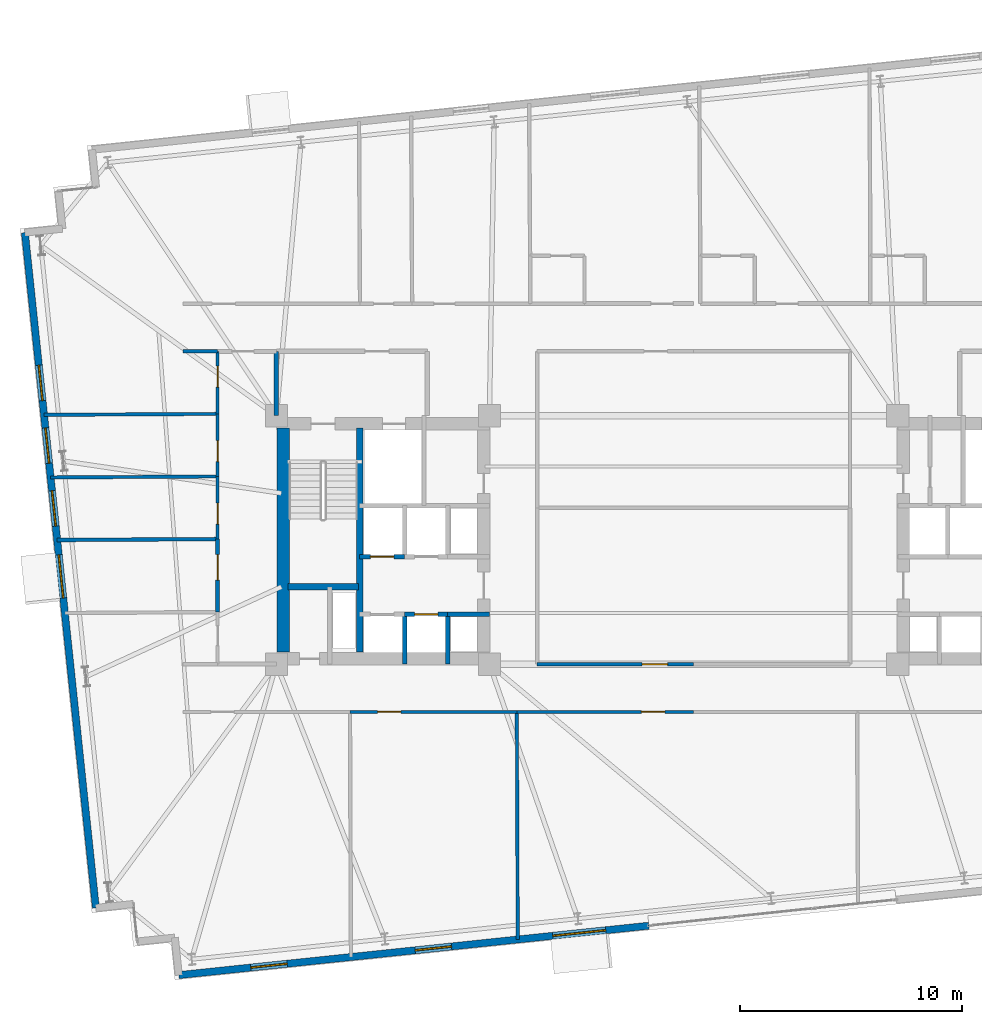
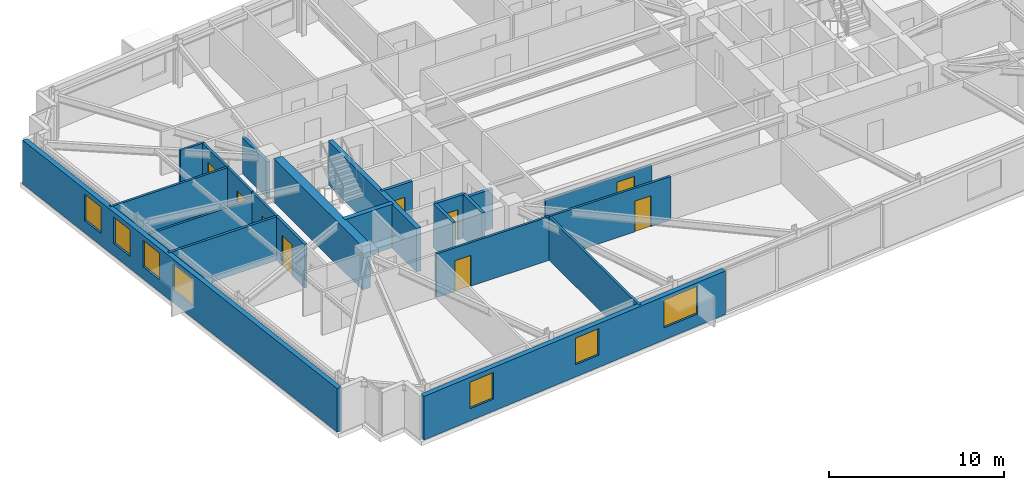
# One storey, part 16 of 22: 23 walls, 9 doors, 7 windows, 16 openings.
"""IFC4 building model written with IfcOpenShell, lengths in metres."""

from ifc_helpers import new_model, si_unit, direction, frame, frame_2d, origin, place, context, subcontext, project, spatial, rectangle, extrude, material, layer, layer_set, type_object, element, fill, save


model = new_model("IFC4")

# Units and contexts
model_context = context("Model", 3, precision=1e-05, world=origin(), true_north=direction((0.0, 1.0)))
body_context = subcontext(model_context, "Body", "Model", "MODEL_VIEW")
ifc_project = project(units=[si_unit("LENGTHUNIT", "METRE"), si_unit("AREAUNIT", "SQUARE_METRE"), si_unit("VOLUMEUNIT", "CUBIC_METRE"), si_unit("PLANEANGLEUNIT", "RADIAN"), si_unit("MASSUNIT", "GRAM", prefix="KILO")], contexts=[model_context])

# Site, building, storey
site_placement = place(None, origin())
site = spatial("IfcSite", under=ifc_project, at=site_placement, CompositionType="ELEMENT")
building_placement = place(site_placement, origin())
building = spatial("IfcBuilding", under=site, at=building_placement, Name="Qobustan Lattice House", CompositionType="ELEMENT")
storey_placement = place(building_placement, frame((0.0, 0.0, 99.10009765625)))
storey = spatial("IfcBuildingStorey", under=building, at=storey_placement, Name="L27", CompositionType="ELEMENT", Elevation=99.10009765625)

# Walls
ifc_material_1 = material(Name="Concrete C60/75", Category="concrete")
ifc_layer_1 = layer(ifc_material_1, 0.56005859375)
ifc_layer_set_1 = layer_set([ifc_layer_1], Name="Concrete C60/75")
wall_type_1 = type_object("IfcWallType", Name="WAL-CORE-600", PredefinedType="SHEAR", material=ifc_layer_set_1)
wall_1_placement = place(storey_placement, frame((-18.489990234375, -5.050048828125, 0.0), z_axis=(0.0, 0.0, 1.0), x_axis=(0.0, 1.0, 0.0)))
element("IfcWall", 1, at=wall_1_placement, inside=storey, type_object=wall_type_1, Name="L27 split-core shear wall CW-W", PredefinedType="SHEAR", context=body_context, shape_type="SweptSolid", body=[
    extrude(rectangle(XDim=10.10009765625, YDim=0.56005859375, at=frame_2d((5.050048828125, 0.0))), origin(), (0.0, 0.0, 1.0), 3.044921875),
])
ifc_material_2 = material(Name="Concrete C50/60", Category="concrete")
ifc_layer_2 = layer(ifc_material_2, 0.280029296875)
ifc_layer_set_2 = layer_set([ifc_layer_2], Name="Concrete C50/60")
wall_type_2 = type_object("IfcWallType", Name="WAL-CORE-SPINE-280", PredefinedType="SHEAR", material=ifc_layer_set_2)
wall_2_placement = place(storey_placement, frame((-15.050048828125, -5.050048828125, 0.0), z_axis=(0.0, 0.0, 1.0), x_axis=(0.0, 1.0, 0.0)))
element("IfcWall", 2, at=wall_2_placement, inside=storey, type_object=wall_type_2, Name="L27 split-core shear wall CW-M", PredefinedType="SHEAR", context=body_context, shape_type="SweptSolid", body=[
    extrude(rectangle(XDim=10.10009765625, YDim=0.300048828125, at=frame_2d((5.050048828125, 0.0))), origin(), (0.0, 0.0, 1.0), 3.044921875),
])
wall_3_placement = place(storey_placement, frame((-18.280029296875, -2.110107421875, 0.0), z_axis=(0.0, 0.0, 1.0), x_axis=(1.0, 0.0, 0.0)))
element("IfcWall", 3, at=wall_3_placement, inside=storey, type_object=wall_type_2, Name="L27 split-core shear wall CW-ST", PredefinedType="SHEAR", context=body_context, shape_type="SweptSolid", body=[
    extrude(rectangle(XDim=3.179931640625, YDim=0.300048828125, at=frame_2d((1.58984375, 0.0))), origin(), (0.0, 0.0, 1.0), 3.044921875),
])

# Wall, openings, windows
ifc_material_3 = material(Name="Precast concrete C40/50", Category="concrete")
ifc_layer_3 = layer(ifc_material_3, 0.320068359375)
ifc_layer_set_3 = layer_set([ifc_layer_3], Name="Precast concrete C40/50")
wall_type_3 = type_object("IfcWallType", Name="WAL-EXT-STONE-320", PredefinedType="SOLIDWALL", material=ifc_layer_set_3)
wall_4_placement = place(storey_placement, frame((-26.934814453125, -16.58349609375, 0.0), z_axis=(0.0, 0.0, 1.0), x_axis=(-0.104524887486, 0.994522271192, 0.0)))
wall_4 = element("IfcWall", 4, at=wall_4_placement, inside=storey, type_object=wall_type_3, Name="L27 exterior limestone-clad wall 5", PredefinedType="SOLIDWALL", context=body_context, shape_type="SweptSolid", body=[
    extrude(rectangle(XDim=30.600341796875, YDim=0.320068359375, at=frame_2d((15.30029296875, 0.0))), origin(), (0.0, 0.0, 1.0), 3.044921875),
])
opening_1_placement = place(wall_4_placement, frame((14.044677734375, 0.0, 0.85009765625)))
opening_1 = element("IfcOpeningElement", 5, at=opening_1_placement, cuts=wall_4, Name="Opening WN-08", PredefinedType="OPENING", context=body_context, shape_type="SweptSolid", body=[
    extrude(rectangle(XDim=1.949951171875, YDim=1.85009765625, at=frame_2d((0.97509765625, 0.925048828125))), frame((0.0, 0.169921875, 0.0), z_axis=(0.0, -1.0, 0.0), x_axis=(1.0, 0.0, 0.0)), (0.0, 0.0, 1.0), 0.340087890625),
])
opening_2_placement = place(wall_4_placement, frame((17.3037109375, 0.0, 0.85009765625)))
opening_2 = element("IfcOpeningElement", 6, at=opening_2_placement, cuts=wall_4, Name="Opening WN-13", PredefinedType="OPENING", context=body_context, shape_type="SweptSolid", body=[
    extrude(rectangle(XDim=1.60009765625, YDim=1.85009765625, at=frame_2d((0.800048828125, 0.925048828125))), frame((0.0, 0.169921875, 0.0), z_axis=(0.0, -1.0, 0.0), x_axis=(1.0, 0.0, 0.0)), (0.0, 0.0, 1.0), 0.340087890625),
])
opening_3_placement = place(wall_4_placement, frame((20.1474609375, 0.0, 0.85009765625)))
opening_3 = element("IfcOpeningElement", 7, at=opening_3_placement, cuts=wall_4, Name="Opening WN-13", PredefinedType="OPENING", context=body_context, shape_type="SweptSolid", body=[
    extrude(rectangle(XDim=1.60009765625, YDim=1.85009765625, at=frame_2d((0.800048828125, 0.925048828125))), frame((0.0, 0.169921875, 0.0), z_axis=(0.0, -1.0, 0.0), x_axis=(1.0, 0.0, 0.0)), (0.0, 0.0, 1.0), 0.340087890625),
])
opening_4_placement = place(wall_4_placement, frame((22.9912109375, 0.0, 0.85009765625)))
opening_4 = element("IfcOpeningElement", 8, at=opening_4_placement, cuts=wall_4, Name="Opening WN-13", PredefinedType="OPENING", context=body_context, shape_type="SweptSolid", body=[
    extrude(rectangle(XDim=1.60009765625, YDim=1.85009765625, at=frame_2d((0.800048828125, 0.925048828125))), frame((0.0, 0.169921875, 0.0), z_axis=(0.0, -1.0, 0.0), x_axis=(1.0, 0.0, 0.0)), (0.0, 0.0, 1.0), 0.340087890625),
])
ifc_material_4 = material(Name="Double-glazed low-E aluminium window", Category="aluminium")
window_type_1 = type_object("IfcWindowType", Name="WIN-BED-1600x1850", PartitioningType="SINGLE_PANEL", PredefinedType="WINDOW", material=ifc_material_4)
window_1_placement = place(opening_2_placement, origin())
window_1 = element("IfcWindow", 9, at=window_1_placement, inside=storey, type_object=window_type_1, Name="L27 Cluster bedroom L27W1 window", OverallHeight=1.85009765625, OverallWidth=1.60009765625, PartitioningType="SINGLE_PANEL", PredefinedType="WINDOW", context=body_context, shape_type="SweptSolid", body=[
    extrude(rectangle(XDim=1.60009765625, YDim=1.85009765625, at=frame_2d((0.800048828125, 0.925048828125))), frame((0.0, 0.030029296875, 0.0), z_axis=(0.0, -1.0, 0.0), x_axis=(1.0, 0.0, 0.0)), (0.0, 0.0, 1.0), 0.06005859375),
])
fill(opening_2, window_1)
window_2_placement = place(opening_3_placement, origin())
window_2 = element("IfcWindow", 10, at=window_2_placement, inside=storey, type_object=window_type_1, Name="L27 Cluster bedroom L27W2 window", OverallHeight=1.85009765625, OverallWidth=1.60009765625, PartitioningType="SINGLE_PANEL", PredefinedType="WINDOW", context=body_context, shape_type="SweptSolid", body=[
    extrude(rectangle(XDim=1.60009765625, YDim=1.85009765625, at=frame_2d((0.800048828125, 0.925048828125))), frame((0.0, 0.030029296875, 0.0), z_axis=(0.0, -1.0, 0.0), x_axis=(1.0, 0.0, 0.0)), (0.0, 0.0, 1.0), 0.06005859375),
])
fill(opening_3, window_2)
window_3_placement = place(opening_4_placement, origin())
window_3 = element("IfcWindow", 11, at=window_3_placement, inside=storey, type_object=window_type_1, Name="L27 Cluster bedroom L27W3 window", OverallHeight=1.85009765625, OverallWidth=1.60009765625, PartitioningType="SINGLE_PANEL", PredefinedType="WINDOW", context=body_context, shape_type="SweptSolid", body=[
    extrude(rectangle(XDim=1.60009765625, YDim=1.85009765625, at=frame_2d((0.800048828125, 0.925048828125))), frame((0.0, 0.030029296875, 0.0), z_axis=(0.0, -1.0, 0.0), x_axis=(1.0, 0.0, 0.0)), (0.0, 0.0, 1.0), 0.06005859375),
])
fill(opening_4, window_3)
ifc_material_5 = material(Name="Double-glazed low-E aluminium window", Category="aluminium")
window_type_2 = type_object("IfcWindowType", Name="WIN-KIT-1950x1850", PartitioningType="SINGLE_PANEL", PredefinedType="WINDOW", material=ifc_material_5)
window_4_placement = place(opening_1_placement, origin())
window_4 = element("IfcWindow", 12, at=window_4_placement, inside=storey, type_object=window_type_2, Name="L27 Shared kitchen L27W window", OverallHeight=1.85009765625, OverallWidth=1.949951171875, PartitioningType="SINGLE_PANEL", PredefinedType="WINDOW", context=body_context, shape_type="SweptSolid", body=[
    extrude(rectangle(XDim=1.949951171875, YDim=1.85009765625, at=frame_2d((0.97509765625, 0.925048828125))), frame((0.0, 0.030029296875, 0.0), z_axis=(0.0, -1.0, 0.0), x_axis=(1.0, 0.0, 0.0)), (0.0, 0.0, 1.0), 0.06005859375),
])
fill(opening_1, window_4)

wall_5_placement = place(storey_placement, frame((-2.0146484375, -17.3828125, 0.0), z_axis=(0.0, 0.0, 1.0), x_axis=(-0.994521393935, -0.104533233979, 0.0)))
wall_5 = element("IfcWall", 13, at=wall_5_placement, inside=storey, type_object=wall_type_3, Name="L27 iwan flank stone wall B", PredefinedType="SOLIDWALL", context=body_context, shape_type="SweptSolid", body=[
    extrude(rectangle(XDim=21.300048828125, YDim=0.320068359375, at=frame_2d((10.64990234375, 0.0))), origin(), (0.0, 0.0, 1.0), 3.044921875),
])
opening_5_placement = place(wall_5_placement, frame((1.952880859375, 0.0, 0.85009765625)))
opening_5 = element("IfcOpeningElement", 14, at=opening_5_placement, cuts=wall_5, Name="Opening WN-10", PredefinedType="OPENING", context=body_context, shape_type="SweptSolid", body=[
    extrude(rectangle(XDim=2.39990234375, YDim=1.949951171875, at=frame_2d((1.199951171875, 0.97509765625))), frame((0.0, 0.169921875, 0.0), z_axis=(0.0, -1.0, 0.0), x_axis=(1.0, 0.0, 0.0)), (0.0, 0.0, 1.0), 0.340087890625),
])
opening_6_placement = place(wall_5_placement, frame((8.944091796875, 0.0, 0.85009765625)))
opening_6 = element("IfcOpeningElement", 15, at=opening_6_placement, cuts=wall_5, Name="Opening WN-09", PredefinedType="OPENING", context=body_context, shape_type="SweptSolid", body=[
    extrude(rectangle(XDim=1.64990234375, YDim=1.85009765625, at=frame_2d((0.824951171875, 0.925048828125))), frame((0.0, 0.169921875, 0.0), z_axis=(0.0, -1.0, 0.0), x_axis=(1.0, 0.0, 0.0)), (0.0, 0.0, 1.0), 0.340087890625),
])
opening_7_placement = place(wall_5_placement, frame((16.39111328125, 0.0, 0.85009765625)))
opening_7 = element("IfcOpeningElement", 16, at=opening_7_placement, cuts=wall_5, Name="Opening WN-09", PredefinedType="OPENING", context=body_context, shape_type="SweptSolid", body=[
    extrude(rectangle(XDim=1.64990234375, YDim=1.85009765625, at=frame_2d((0.824951171875, 0.925048828125))), frame((0.0, 0.169921875, 0.0), z_axis=(0.0, -1.0, 0.0), x_axis=(1.0, 0.0, 0.0)), (0.0, 0.0, 1.0), 0.340087890625),
])
ifc_material_6 = material(Name="Double-glazed low-E aluminium window", Category="aluminium")
window_type_3 = type_object("IfcWindowType", Name="WIN-LNG-2400x1950", PartitioningType="SINGLE_PANEL", PredefinedType="WINDOW", material=ifc_material_6)
window_5_placement = place(opening_5_placement, origin())
window_5 = element("IfcWindow", 17, at=window_5_placement, inside=storey, type_object=window_type_3, Name="L27 Walnut iwan sky lounge S2 window", OverallHeight=1.949951171875, OverallWidth=2.39990234375, PartitioningType="SINGLE_PANEL", PredefinedType="WINDOW", context=body_context, shape_type="SweptSolid", body=[
    extrude(rectangle(XDim=2.39990234375, YDim=1.949951171875, at=frame_2d((1.199951171875, 0.97509765625))), frame((0.0, 0.030029296875, 0.0), z_axis=(0.0, -1.0, 0.0), x_axis=(1.0, 0.0, 0.0)), (0.0, 0.0, 1.0), 0.06005859375),
])
fill(opening_5, window_5)
ifc_material_7 = material(Name="Double-glazed low-E aluminium window", Category="aluminium")
window_type_4 = type_object("IfcWindowType", Name="WIN-STU-1650x1850", PartitioningType="SINGLE_PANEL", PredefinedType="WINDOW", material=ifc_material_7)
window_6_placement = place(opening_6_placement, origin())
window_6 = element("IfcWindow", 18, at=window_6_placement, inside=storey, type_object=window_type_4, Name="L27 Focus study room S1B window", OverallHeight=1.85009765625, OverallWidth=1.64990234375, PartitioningType="SINGLE_PANEL", PredefinedType="WINDOW", context=body_context, shape_type="SweptSolid", body=[
    extrude(rectangle(XDim=1.64990234375, YDim=1.85009765625, at=frame_2d((0.824951171875, 0.925048828125))), frame((0.0, 0.030029296875, 0.0), z_axis=(0.0, -1.0, 0.0), x_axis=(1.0, 0.0, 0.0)), (0.0, 0.0, 1.0), 0.06005859375),
])
fill(opening_6, window_6)
window_7_placement = place(opening_7_placement, origin())
window_7 = element("IfcWindow", 19, at=window_7_placement, inside=storey, type_object=window_type_4, Name="L27 Focus study room S1A window", OverallHeight=1.85009765625, OverallWidth=1.64990234375, PartitioningType="SINGLE_PANEL", PredefinedType="WINDOW", context=body_context, shape_type="SweptSolid", body=[
    extrude(rectangle(XDim=1.64990234375, YDim=1.85009765625, at=frame_2d((0.824951171875, 0.925048828125))), frame((0.0, 0.030029296875, 0.0), z_axis=(0.0, -1.0, 0.0), x_axis=(1.0, 0.0, 0.0)), (0.0, 0.0, 1.0), 0.06005859375),
])
fill(opening_7, window_7)

# Wall
ifc_material_8 = material(Name="Acoustic twin-stud gypsum partition", Category="gypsum")
ifc_layer_4 = layer(ifc_material_8, 0.14990234375)
ifc_layer_set_4 = layer_set([ifc_layer_4], Name="Acoustic twin-stud gypsum partition")
wall_type_4 = type_object("IfcWallType", Name="WAL-PART-150", PredefinedType="PARTITIONING", material=ifc_layer_set_4)
wall_6_placement = place(storey_placement, frame((-21.449951171875, 8.5, 0.0), z_axis=(0.0, 0.0, 1.0), x_axis=(-1.0, 0.0, 0.0)))
element("IfcWall", 20, at=wall_6_placement, inside=storey, type_object=wall_type_4, Name="L27 interior partition 37", PredefinedType="PARTITIONING", context=body_context, shape_type="SweptSolid", body=[
    extrude(rectangle(XDim=1.550048828125, YDim=0.14990234375, at=frame_2d((0.77490234375, 0.0))), origin(), (0.0, 0.0, 1.0), 3.044921875),
])

# Wall, opening, door
wall_7_placement = place(storey_placement, frame((-7.967041015625, -7.75, 0.0), z_axis=(0.0, 0.0, 1.0), x_axis=(-1.0, 0.0, 0.0)))
wall_7 = element("IfcWall", 21, at=wall_7_placement, inside=storey, type_object=wall_type_4, Name="L27 interior partition 56", PredefinedType="PARTITIONING", context=body_context, shape_type="SweptSolid", body=[
    extrude(rectangle(XDim=7.516357421875, YDim=0.14990234375, at=frame_2d((3.75830078125, 0.0))), origin(), (0.0, 0.0, 1.0), 3.044921875),
])
opening_8_placement = place(wall_7_placement, frame((5.22314453125, 0.0, 0.0)))
opening_8 = element("IfcOpeningElement", 22, at=opening_8_placement, cuts=wall_7, Name="Opening ID-02", PredefinedType="OPENING", context=body_context, shape_type="SweptSolid", body=[
    extrude(rectangle(XDim=1.050048828125, YDim=2.14990234375, at=frame_2d((0.52490234375, 1.074951171875))), frame((0.0, 0.0849609375, 0.0), z_axis=(0.0, -1.0, 0.0), x_axis=(1.0, 0.0, 0.0)), (0.0, 0.0, 1.0), 0.169921875),
])
ifc_material_9 = material(Name="Persian walnut timber and steel frame door", Category="steel")
door_type_1 = type_object("IfcDoorType", Name="DOR-STUDY-1050x2150", OperationType="NOTDEFINED", PredefinedType="DOOR", material=ifc_material_9)
door_1_placement = place(opening_8_placement, origin())
door_1 = element("IfcDoor", 23, at=door_1_placement, inside=storey, type_object=door_type_1, Name="L27 South-west floor corridor to Focus study room S1B door", OperationType="SINGLE_SWING_RIGHT", OverallHeight=2.14990234375, OverallWidth=1.050048828125, PredefinedType="DOOR", context=body_context, shape_type="SweptSolid", body=[
    extrude(rectangle(XDim=1.050048828125, YDim=2.14990234375, at=frame_2d((0.52490234375, 1.074951171875))), frame((0.0, 0.02490234375, 0.0), z_axis=(0.0, -1.0, 0.0), x_axis=(1.0, 0.0, 0.0)), (0.0, 0.0, 1.0), 0.050048828125),
])
fill(opening_8, door_1)

wall_8_placement = place(storey_placement, frame((0.0, -7.75, 0.0), z_axis=(0.0, 0.0, 1.0), x_axis=(-1.0, 0.0, 0.0)))
wall_8 = element("IfcWall", 24, at=wall_8_placement, inside=storey, type_object=wall_type_4, Name="L27 interior partition 57", PredefinedType="PARTITIONING", context=body_context, shape_type="SweptSolid", body=[
    extrude(rectangle(XDim=7.967041015625, YDim=0.14990234375, at=frame_2d((3.9833984375, 0.0))), origin(), (0.0, 0.0, 1.0), 3.044921875),
])
opening_9_placement = place(wall_8_placement, frame((1.299560546875, 0.0, 0.0)))
opening_9 = element("IfcOpeningElement", 25, at=opening_9_placement, cuts=wall_8, Name="Opening ID-02", PredefinedType="OPENING", context=body_context, shape_type="SweptSolid", body=[
    extrude(rectangle(XDim=1.050048828125, YDim=2.14990234375, at=frame_2d((0.52490234375, 1.074951171875))), frame((0.0, 0.0849609375, 0.0), z_axis=(0.0, -1.0, 0.0), x_axis=(1.0, 0.0, 0.0)), (0.0, 0.0, 1.0), 0.169921875),
])
door_2_placement = place(opening_9_placement, origin())
door_2 = element("IfcDoor", 26, at=door_2_placement, inside=storey, type_object=door_type_1, Name="L27 South-west floor corridor to Walnut iwan sky lounge S2 door", OperationType="SINGLE_SWING_LEFT", OverallHeight=2.14990234375, OverallWidth=1.050048828125, PredefinedType="DOOR", context=body_context, shape_type="SweptSolid", body=[
    extrude(rectangle(XDim=1.050048828125, YDim=2.14990234375, at=frame_2d((0.52490234375, 1.074951171875))), frame((0.0, 0.02490234375, 0.0), z_axis=(0.0, -1.0, 0.0), x_axis=(1.0, 0.0, 0.0)), (0.0, 0.0, 1.0), 0.050048828125),
])
fill(opening_9, door_2)

wall_9_placement = place(storey_placement, frame((-21.449951171875, 0.0400390625, 0.0), z_axis=(0.0, 0.0, 1.0), x_axis=(0.0, 1.0, 0.0)))
wall_9 = element("IfcWall", 27, at=wall_9_placement, inside=storey, type_object=wall_type_4, Name="L27 interior partition 70", PredefinedType="PARTITIONING", context=body_context, shape_type="SweptSolid", body=[
    extrude(rectangle(XDim=2.820068359375, YDim=0.14990234375, at=frame_2d((1.41015625, 0.0))), origin(), (0.0, 0.0, 1.0), 3.044921875),
])
opening_10_placement = place(wall_9_placement, frame((0.668701171875, 0.0, 0.0)))
opening_10 = element("IfcOpeningElement", 28, at=opening_10_placement, cuts=wall_9, Name="Opening ID-01", PredefinedType="OPENING", context=body_context, shape_type="SweptSolid", body=[
    extrude(rectangle(XDim=0.949951171875, YDim=2.10009765625, at=frame_2d((0.47509765625, 1.050048828125))), frame((0.0, 0.0849609375, 0.0), z_axis=(0.0, -1.0, 0.0), x_axis=(1.0, 0.0, 0.0)), (0.0, 0.0, 1.0), 0.169921875),
])
ifc_material_10 = material(Name="Persian walnut timber and steel frame door", Category="steel")
door_type_2 = type_object("IfcDoorType", Name="DOR-ROOM-950x2100", OperationType="NOTDEFINED", PredefinedType="DOOR", material=ifc_material_10)
door_3_placement = place(opening_10_placement, origin())
door_3 = element("IfcDoor", 29, at=door_3_placement, inside=storey, type_object=door_type_2, Name="L27 Residence entrance hall L27W to Cluster bedroom L27W1 door", OperationType="SINGLE_SWING_LEFT", OverallHeight=2.10009765625, OverallWidth=0.949951171875, PredefinedType="DOOR", context=body_context, shape_type="SweptSolid", body=[
    extrude(rectangle(XDim=0.949951171875, YDim=2.10009765625, at=frame_2d((0.47509765625, 1.050048828125))), frame((0.0, 0.02490234375, 0.0), z_axis=(0.0, -1.0, 0.0), x_axis=(1.0, 0.0, 0.0)), (0.0, 0.0, 1.0), 0.050048828125),
])
fill(opening_10, door_3)

wall_10_placement = place(storey_placement, frame((-21.449951171875, 2.860107421875, 0.0), z_axis=(0.0, 0.0, 1.0), x_axis=(0.0, 1.0, 0.0)))
wall_10 = element("IfcWall", 30, at=wall_10_placement, inside=storey, type_object=wall_type_4, Name="L27 interior partition 71", PredefinedType="PARTITIONING", context=body_context, shape_type="SweptSolid", body=[
    extrude(rectangle(XDim=2.81982421875, YDim=0.14990234375, at=frame_2d((1.409912109375, 0.0))), origin(), (0.0, 0.0, 1.0), 3.044921875),
])
opening_11_placement = place(wall_10_placement, frame((0.668701171875, 0.0, 0.0)))
opening_11 = element("IfcOpeningElement", 31, at=opening_11_placement, cuts=wall_10, Name="Opening ID-01", PredefinedType="OPENING", context=body_context, shape_type="SweptSolid", body=[
    extrude(rectangle(XDim=0.949951171875, YDim=2.10009765625, at=frame_2d((0.47509765625, 1.050048828125))), frame((0.0, 0.0849609375, 0.0), z_axis=(0.0, -1.0, 0.0), x_axis=(1.0, 0.0, 0.0)), (0.0, 0.0, 1.0), 0.169921875),
])
door_4_placement = place(opening_11_placement, origin())
door_4 = element("IfcDoor", 32, at=door_4_placement, inside=storey, type_object=door_type_2, Name="L27 Residence entrance hall L27W to Cluster bedroom L27W2 door", OperationType="SINGLE_SWING_RIGHT", OverallHeight=2.10009765625, OverallWidth=0.949951171875, PredefinedType="DOOR", context=body_context, shape_type="SweptSolid", body=[
    extrude(rectangle(XDim=0.949951171875, YDim=2.10009765625, at=frame_2d((0.47509765625, 1.050048828125))), frame((0.0, 0.02490234375, 0.0), z_axis=(0.0, -1.0, 0.0), x_axis=(1.0, 0.0, 0.0)), (0.0, 0.0, 1.0), 0.050048828125),
])
fill(opening_11, door_4)

wall_11_placement = place(storey_placement, frame((-21.449951171875, 5.679931640625, 0.0), z_axis=(0.0, 0.0, 1.0), x_axis=(0.0, 1.0, 0.0)))
wall_11 = element("IfcWall", 33, at=wall_11_placement, inside=storey, type_object=wall_type_4, Name="L27 interior partition 72", PredefinedType="PARTITIONING", context=body_context, shape_type="SweptSolid", body=[
    extrude(rectangle(XDim=2.820068359375, YDim=0.14990234375, at=frame_2d((1.41015625, 0.0))), origin(), (0.0, 0.0, 1.0), 3.044921875),
])
opening_12_placement = place(wall_11_placement, frame((1.201171875, 0.0, 0.0)))
opening_12 = element("IfcOpeningElement", 34, at=opening_12_placement, cuts=wall_11, Name="Opening ID-01", PredefinedType="OPENING", context=body_context, shape_type="SweptSolid", body=[
    extrude(rectangle(XDim=0.949951171875, YDim=2.10009765625, at=frame_2d((0.47509765625, 1.050048828125))), frame((0.0, 0.0849609375, 0.0), z_axis=(0.0, -1.0, 0.0), x_axis=(1.0, 0.0, 0.0)), (0.0, 0.0, 1.0), 0.169921875),
])
door_5_placement = place(opening_12_placement, origin())
door_5 = element("IfcDoor", 35, at=door_5_placement, inside=storey, type_object=door_type_2, Name="L27 Residence entrance hall L27W to Cluster bedroom L27W3 door", OperationType="SINGLE_SWING_LEFT", OverallHeight=2.10009765625, OverallWidth=0.949951171875, PredefinedType="DOOR", context=body_context, shape_type="SweptSolid", body=[
    extrude(rectangle(XDim=0.949951171875, YDim=2.10009765625, at=frame_2d((0.47509765625, 1.050048828125))), frame((0.0, 0.02490234375, 0.0), z_axis=(0.0, -1.0, 0.0), x_axis=(1.0, 0.0, 0.0)), (0.0, 0.0, 1.0), 0.050048828125),
])
fill(opening_12, door_5)

# Walls
wall_12_placement = place(storey_placement, frame((-28.9736328125, 2.816162109375, 0.0), z_axis=(0.0, 0.0, 1.0), x_axis=(0.999982942193, 0.00584083232, 0.0)))
element("IfcWall", 36, at=wall_12_placement, inside=storey, type_object=wall_type_4, Name="L27 interior partition 75", PredefinedType="PARTITIONING", context=body_context, shape_type="SweptSolid", body=[
    extrude(rectangle(XDim=7.52392578125, YDim=0.14990234375, at=frame_2d((3.761962890625, 0.0))), origin(), (0.0, 0.0, 1.0), 2.52978515625),
])
wall_13_placement = place(storey_placement, frame((-29.27001953125, 5.635986328125, 0.0), z_axis=(0.0, 0.0, 1.0), x_axis=(0.999984210669, 0.005619467326, 0.0)))
element("IfcWall", 37, at=wall_13_placement, inside=storey, type_object=wall_type_4, Name="L27 interior partition 76", PredefinedType="PARTITIONING", context=body_context, shape_type="SweptSolid", body=[
    extrude(rectangle(XDim=7.8203125, YDim=0.14990234375, at=frame_2d((3.91015625, 0.0))), origin(), (0.0, 0.0, 1.0), 3.044921875),
])
wall_14_placement = place(storey_placement, frame((-7.967041015625, -7.75, 0.0), z_axis=(0.0, 0.0, 1.0), x_axis=(0.004285674928, -0.999990816453, 0.0)))
element("IfcWall", 38, at=wall_14_placement, inside=storey, type_object=wall_type_4, Name="L27 interior partition 105", PredefinedType="PARTITIONING", context=body_context, shape_type="SweptSolid", body=[
    extrude(rectangle(XDim=10.25390625, YDim=0.14990234375, at=frame_2d((5.126953125, 0.0))), origin(), (0.0, 0.0, 1.0), 3.044921875),
])

# Wall, opening, door
ifc_material_11 = material(Name="High-mass acoustic twin-stud partition", Category="gypsum")
ifc_layer_5 = layer(ifc_material_11, 0.1650390625)
ifc_layer_set_5 = layer_set([ifc_layer_5], Name="High-mass acoustic twin-stud partition")
wall_type_5 = type_object("IfcWallType", Name="WAL-PART-165", PredefinedType="PARTITIONING", material=ifc_layer_set_5)
wall_15_placement = place(storey_placement, frame((-7.050048828125, -5.60009765625, 0.0), z_axis=(0.0, 0.0, 1.0), x_axis=(1.0, 0.0, 0.0)))
wall_15 = element("IfcWall", 39, at=wall_15_placement, inside=storey, type_object=wall_type_5, Name="L27 interior partition 58", PredefinedType="PARTITIONING", context=body_context, shape_type="SweptSolid", body=[
    extrude(rectangle(XDim=7.050048828125, YDim=0.1650390625, at=frame_2d((3.52490234375, 0.0))), origin(), (0.0, 0.0, 1.0), 2.52978515625),
])
opening_13_placement = place(wall_15_placement, frame((4.7275390625, 0.0, 0.0)))
opening_13 = element("IfcOpeningElement", 40, at=opening_13_placement, cuts=wall_15, Name="Opening ID-03", PredefinedType="OPENING", context=body_context, shape_type="SweptSolid", body=[
    extrude(rectangle(XDim=1.14990234375, YDim=2.14990234375, at=frame_2d((0.574951171875, 1.074951171875))), frame((0.0, 0.092529296875, 0.0), z_axis=(0.0, -1.0, 0.0), x_axis=(1.0, 0.0, 0.0)), (0.0, 0.0, 1.0), 0.18505859375),
])
ifc_material_12 = material(Name="Persian walnut timber and steel frame door", Category="steel")
door_type_3 = type_object("IfcDoorType", Name="DOR-KITCH-1150x2150", OperationType="NOTDEFINED", PredefinedType="DOOR", material=ifc_material_12)
door_6_placement = place(opening_13_placement, origin())
door_6 = element("IfcDoor", 41, at=door_6_placement, inside=storey, type_object=door_type_3, Name="L27 South-west floor corridor to Communal dining kitchen door", OperationType="SINGLE_SWING_RIGHT", OverallHeight=2.14990234375, OverallWidth=1.14990234375, PredefinedType="DOOR", context=body_context, shape_type="SweptSolid", body=[
    extrude(rectangle(XDim=1.14990234375, YDim=2.14990234375, at=frame_2d((0.574951171875, 1.074951171875))), frame((0.0, 0.02490234375, 0.0), z_axis=(0.0, -1.0, 0.0), x_axis=(1.0, 0.0, 0.0)), (0.0, 0.0, 1.0), 0.050048828125),
])
fill(opening_13, door_6)

wall_16_placement = place(storey_placement, frame((-21.449951171875, -3.25, 0.0), z_axis=(0.0, 0.0, 1.0), x_axis=(0.0, 1.0, 0.0)))
wall_16 = element("IfcWall", 42, at=wall_16_placement, inside=storey, type_object=wall_type_5, Name="L27 interior partition 69", PredefinedType="PARTITIONING", context=body_context, shape_type="SweptSolid", body=[
    extrude(rectangle(XDim=3.2900390625, YDim=0.1650390625, at=frame_2d((1.64501953125, 0.0))), origin(), (0.0, 0.0, 1.0), 3.044921875),
])
opening_14_placement = place(wall_16_placement, frame((1.4375, 0.0, 0.0)))
opening_14 = element("IfcOpeningElement", 43, at=opening_14_placement, cuts=wall_16, Name="Opening ID-03", PredefinedType="OPENING", context=body_context, shape_type="SweptSolid", body=[
    extrude(rectangle(XDim=1.14990234375, YDim=2.14990234375, at=frame_2d((0.574951171875, 1.074951171875))), frame((0.0, 0.092529296875, 0.0), z_axis=(0.0, -1.0, 0.0), x_axis=(1.0, 0.0, 0.0)), (0.0, 0.0, 1.0), 0.18505859375),
])
door_7_placement = place(opening_14_placement, origin())
door_7 = element("IfcDoor", 44, at=door_7_placement, inside=storey, type_object=door_type_3, Name="L27 Residence entrance hall L27W to Shared kitchen L27W door", OperationType="SINGLE_SWING_RIGHT", OverallHeight=2.14990234375, OverallWidth=1.14990234375, PredefinedType="DOOR", context=body_context, shape_type="SweptSolid", body=[
    extrude(rectangle(XDim=1.14990234375, YDim=2.14990234375, at=frame_2d((0.574951171875, 1.074951171875))), frame((0.0, 0.02490234375, 0.0), z_axis=(0.0, -1.0, 0.0), x_axis=(1.0, 0.0, 0.0)), (0.0, 0.0, 1.0), 0.050048828125),
])
fill(opening_14, door_7)

# Walls
wall_17_placement = place(storey_placement, frame((-28.67724609375, -0.00390625, 0.0), z_axis=(0.0, 0.0, 1.0), x_axis=(0.999981514486, 0.006080352417, 0.0)))
element("IfcWall", 45, at=wall_17_placement, inside=storey, type_object=wall_type_5, Name="L27 interior partition 74", PredefinedType="PARTITIONING", context=body_context, shape_type="SweptSolid", body=[
    extrude(rectangle(XDim=7.2275390625, YDim=0.1650390625, at=frame_2d((3.61376953125, 0.0))), origin(), (0.0, 0.0, 1.0), 3.044921875),
])
ifc_material_13 = material(Name="Two-hour gypsum fireboard acoustic partition", Category="gypsum")
ifc_layer_6 = layer(ifc_material_13, 0.199951171875)
ifc_layer_set_6 = layer_set([ifc_layer_6], Name="Two-hour gypsum fireboard acoustic partition")
wall_type_6 = type_object("IfcWallType", Name="WAL-PROT-200", PredefinedType="PARTITIONING", material=ifc_layer_set_6)
wall_18_placement = place(storey_placement, frame((-18.800048828125, 8.5, 0.0), z_axis=(0.0, 0.0, 1.0), x_axis=(0.0, -1.0, 0.0)))
element("IfcWall", 46, at=wall_18_placement, inside=storey, type_object=wall_type_6, Name="L27 interior partition 5", PredefinedType="PARTITIONING", context=body_context, shape_type="SweptSolid", body=[
    extrude(rectangle(XDim=2.89990234375, YDim=0.199951171875, at=frame_2d((1.449951171875, 0.0))), origin(), (0.0, 0.0, 1.0), 2.52978515625),
])

# Wall, opening, door
ifc_material_14 = material(Name="Concrete C40/50", Category="concrete")
ifc_layer_7 = layer(ifc_material_14, 0.199951171875)
ifc_layer_set_7 = layer_set([ifc_layer_7], Name="Concrete C40/50")
wall_type_7 = type_object("IfcWallType", Name="WAL-SHAFT-200", PredefinedType="PARTITIONING", material=ifc_layer_set_7)
wall_19_placement = place(storey_placement, frame((-13.02001953125, -3.35009765625, 0.0), z_axis=(0.0, 0.0, 1.0), x_axis=(1.0, 0.0, 0.0)))
wall_19 = element("IfcWall", 47, at=wall_19_placement, inside=storey, type_object=wall_type_7, Name="L27 interior partition 8", PredefinedType="PARTITIONING", context=body_context, shape_type="SweptSolid", body=[
    extrude(rectangle(XDim=1.93994140625, YDim=0.199951171875, at=frame_2d((0.969970703125, 0.0))), origin(), (0.0, 0.0, 1.0), 3.044921875),
])
opening_15_placement = place(wall_19_placement, frame((0.445068359375, 0.0, 0.0)))
opening_15 = element("IfcOpeningElement", 48, at=opening_15_placement, cuts=wall_19, Name="Opening LD-01", PredefinedType="OPENING", context=body_context, shape_type="SweptSolid", body=[
    extrude(rectangle(XDim=1.050048828125, YDim=2.10009765625, at=frame_2d((0.52490234375, 1.050048828125))), frame((0.0, 0.10986328125, 0.0), z_axis=(0.0, -1.0, 0.0), x_axis=(1.0, 0.0, 0.0)), (0.0, 0.0, 1.0), 0.219970703125),
])
ifc_material_15 = material(Name="Persian walnut timber and steel frame door", Category="steel")
door_type_4 = type_object("IfcDoorType", Name="DOR-LIFT-LD-1050x2100", OperationType="NOTDEFINED", PredefinedType="DOOR", material=ifc_material_15)
door_8_placement = place(opening_15_placement, origin())
door_8 = element("IfcDoor", 49, at=door_8_placement, inside=storey, type_object=door_type_4, Name="L27 lift landing door", OperationType="DOUBLE_DOOR_SLIDING", OverallHeight=2.10009765625, OverallWidth=1.050048828125, PredefinedType="DOOR", context=body_context, shape_type="SweptSolid", body=[
    extrude(rectangle(XDim=1.050048828125, YDim=2.10009765625, at=frame_2d((0.52490234375, 1.050048828125))), frame((0.0, 0.02490234375, 0.0), z_axis=(0.0, -1.0, 0.0), x_axis=(1.0, 0.0, 0.0)), (0.0, 0.0, 1.0), 0.050048828125),
])
fill(opening_15, door_8)

# Wall
wall_20_placement = place(storey_placement, frame((-11.080078125, -3.35009765625, 0.0), z_axis=(0.0, 0.0, 1.0), x_axis=(1.0, 0.0, 0.0)))
element("IfcWall", 50, at=wall_20_placement, inside=storey, type_object=wall_type_7, Name="L27 interior partition 9", PredefinedType="PARTITIONING", context=body_context, shape_type="SweptSolid", body=[
    extrude(rectangle(XDim=1.880126953125, YDim=0.199951171875, at=frame_2d((0.93994140625, 0.0))), origin(), (0.0, 0.0, 1.0), 2.760009765625),
])

# Wall, opening, door
wall_21_placement = place(storey_placement, frame((-13.02001953125, -0.75, 0.0), z_axis=(0.0, 0.0, 1.0), x_axis=(-1.0, 0.0, 0.0)))
wall_21 = element("IfcWall", 51, at=wall_21_placement, inside=storey, type_object=wall_type_7, Name="L27 interior partition 10", PredefinedType="PARTITIONING", context=body_context, shape_type="SweptSolid", body=[
    extrude(rectangle(XDim=2.030029296875, YDim=0.199951171875, at=frame_2d((1.01513671875, 0.0))), origin(), (0.0, 0.0, 1.0), 3.044921875),
])
opening_16_placement = place(wall_21_placement, frame((0.489990234375, 0.0, 0.0)))
opening_16 = element("IfcOpeningElement", 52, at=opening_16_placement, cuts=wall_21, Name="Opening LD-01", PredefinedType="OPENING", context=body_context, shape_type="SweptSolid", body=[
    extrude(rectangle(XDim=1.050048828125, YDim=2.10009765625, at=frame_2d((0.52490234375, 1.050048828125))), frame((0.0, 0.10986328125, 0.0), z_axis=(0.0, -1.0, 0.0), x_axis=(1.0, 0.0, 0.0)), (0.0, 0.0, 1.0), 0.219970703125),
])
door_9_placement = place(opening_16_placement, origin())
door_9 = element("IfcDoor", 53, at=door_9_placement, inside=storey, type_object=door_type_4, Name="L27 lift landing door", OperationType="DOUBLE_DOOR_SLIDING", OverallHeight=2.10009765625, OverallWidth=1.050048828125, PredefinedType="DOOR", context=body_context, shape_type="SweptSolid", body=[
    extrude(rectangle(XDim=1.050048828125, YDim=2.10009765625, at=frame_2d((0.52490234375, 1.050048828125))), frame((0.0, 0.02490234375, 0.0), z_axis=(0.0, -1.0, 0.0), x_axis=(1.0, 0.0, 0.0)), (0.0, 0.0, 1.0), 0.050048828125),
])
fill(opening_16, door_9)

# Walls
for number, where, z_axis, x_axis, name in (
    (54, (-13.02001953125, -5.60009765625, 0.0), (0.0, 0.0, 1.0), (0.0, 1.0, 0.0), "L27 interior partition 14"),
    (55, (-11.080078125, -5.60009765625, 0.0), (0.0, 0.0, 1.0), (0.0, 1.0, 0.0), "L27 interior partition 15"),
):
    element("IfcWall", number, at=place(storey_placement, frame(where, z_axis=z_axis, x_axis=x_axis)), inside=storey, type_object=wall_type_7, Name=name, PredefinedType="PARTITIONING", context=body_context, shape_type="SweptSolid", body=[
        extrude(rectangle(XDim=2.25, YDim=0.199951171875, at=frame_2d((1.125, 0.0))), origin(), (0.0, 0.0, 1.0), 3.044921875),
    ])

save(model, "model.ifc")
